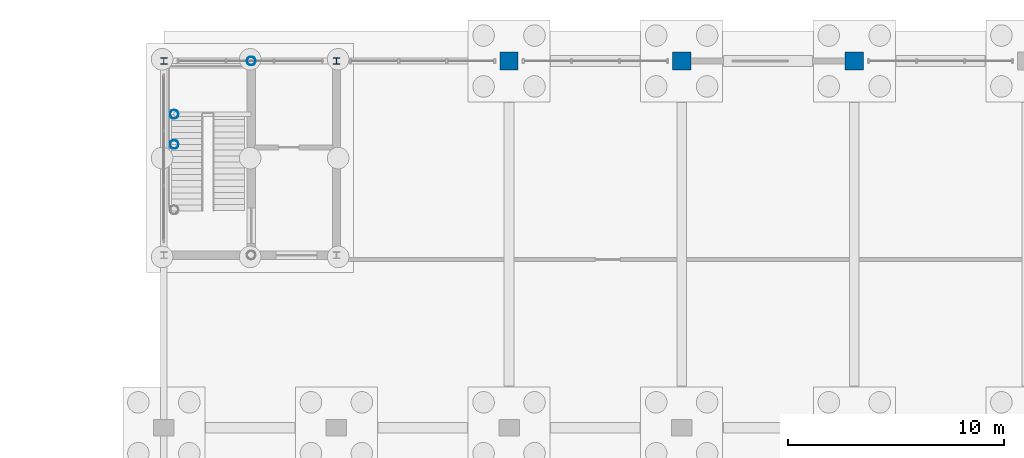
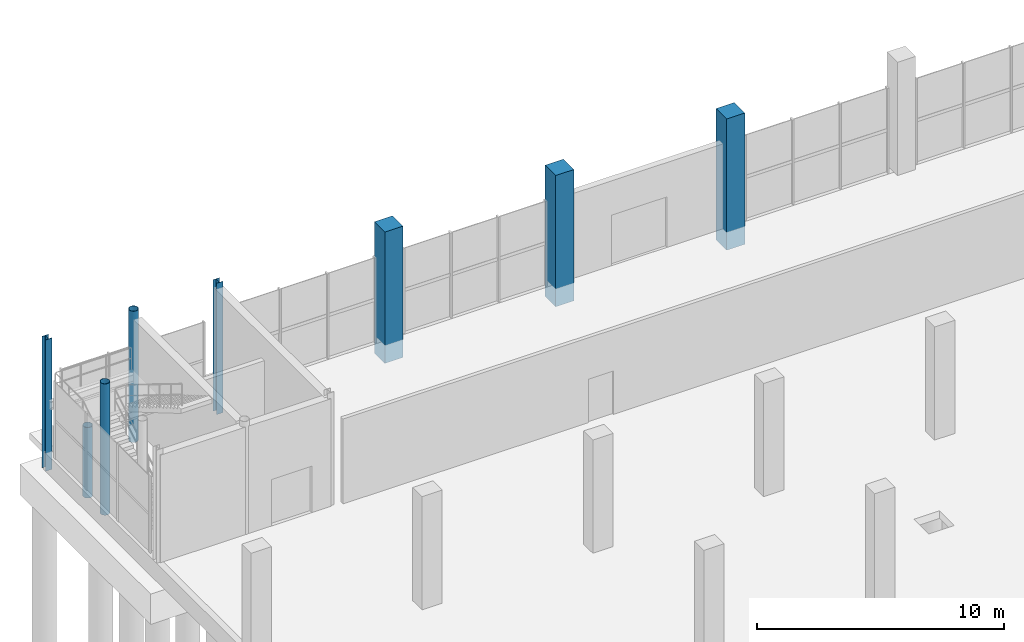
# One storey, part 31 of 98: 8 columns.
"""IFC4 building model written with IfcOpenShell, lengths in metres."""

from ifc_helpers import new_model, si_unit, derived_unit, direction, frame, origin, origin_2d, place, context, subcontext, project, spatial, rectangle, hollow_circle, i_section, extrude, material, material_profile, profile_set, type_object, element, save


model = new_model("IFC4")

# Units and contexts
model_context = context("Model", 3, precision=1e-05, world=origin(), true_north=direction((0.0, 1.0)))
body_context = subcontext(model_context, "Body", "Model", "MODEL_VIEW")
ifc_project = project(units=[si_unit("LENGTHUNIT", "METRE"), si_unit("AREAUNIT", "SQUARE_METRE"), si_unit("VOLUMEUNIT", "CUBIC_METRE"), si_unit("PLANEANGLEUNIT", "RADIAN"), si_unit("MASSUNIT", "GRAM", prefix="KILO"), si_unit("THERMODYNAMICTEMPERATUREUNIT", "KELVIN"), derived_unit("THERMALTRANSMITTANCEUNIT", [(si_unit("POWERUNIT", "WATT"), 1), (si_unit("AREAUNIT", "SQUARE_METRE"), -1), (si_unit("THERMODYNAMICTEMPERATUREUNIT", "KELVIN"), -1)])], contexts=[model_context])

# Site, building, storey
site_placement = place(None, origin())
site = spatial("IfcSite", under=ifc_project, at=site_placement, CompositionType="ELEMENT")
building_placement = place(site_placement, origin())
building = spatial("IfcBuilding", under=site, at=building_placement, Name="Haiyu Intermodal Mobility Hub", CompositionType="ELEMENT")
storey_placement = place(building_placement, origin())
storey = spatial("IfcBuildingStorey", under=building, at=storey_placement, Name="L00", CompositionType="ELEMENT", Elevation=0.0)

# Columns
ifc_material_1 = material(Name="Precast concrete C40", Category="concrete")
ifc_material_profile_1 = material_profile(ifc_material_1, rectangle(XDim=0.85009765625, YDim=0.85009765625, at=origin_2d()), Name="RC850x850")
ifc_profile_set_1 = profile_set([ifc_material_profile_1], Name="Precast concrete C40")
column_type_1 = type_object("IfcColumnType", Name="COL-CC01-EXT", PredefinedType="COLUMN", material=ifc_profile_set_1)
for number, where, z_axis, x_axis, name in (
    (1, (38.0, 148.0, -0.89990234375), (0.0, 0.0, 1.0), (1.0, 0.0, 0.0), "Column V4-4S L00"),
    (2, (46.0, 148.0, -0.89990234375), (0.0, 0.0, 1.0), (1.0, 0.0, 0.0), "Column V4-5S L00"),
    (3, (54.0, 148.0, -0.89990234375), (0.0, 0.0, 1.0), (1.0, 0.0, 0.0), "Column V4-6S L00"),
):
    element("IfcColumn", number, at=place(storey_placement, frame(where, z_axis=z_axis, x_axis=x_axis)), inside=storey, type_object=column_type_1, Name=name, PredefinedType="COLUMN", context=body_context, shape_type="SweptSolid", body=[
        extrude(rectangle(XDim=0.85009765625, YDim=0.85009765625, at=origin_2d()), origin(), (0.0, 0.0, 1.0), 6.5),
    ])
ifc_material_2 = material(Name="Steel Q355C", Category="steel")
ifc_material_profile_2 = material_profile(ifc_material_2, hollow_circle(Radius=0.202880859375, WallThickness=0.013916015625, at=origin_2d()), Name="CHS406x14")
ifc_profile_set_2 = profile_set([ifc_material_profile_2], Name="Steel Q355C")
column_type_2 = type_object("IfcColumnType", Name="COL-SC03", PredefinedType="COLUMN", material=ifc_profile_set_2)
column_1_placement = place(storey_placement, frame((22.47998046875, 144.1298828125, -0.89990234375), z_axis=(0.0, 0.0, 1.0), x_axis=(1.0, 0.0, 0.0)))
element("IfcColumn", 4, at=column_1_placement, inside=storey, type_object=column_type_2, Name="Column C3-WLP L00", PredefinedType="COLUMN", context=body_context, shape_type="SweptSolid", body=[
    extrude(hollow_circle(Radius=0.202880859375, WallThickness=0.013916015625, at=origin_2d()), origin(), (0.0, 0.0, 1.0), 6.5),
])
ifc_material_profile_3 = material_profile(ifc_material_2, hollow_circle(Radius=0.202880859375, WallThickness=0.013916015625, at=origin_2d()), Name="CHS406x14")
ifc_profile_set_3 = profile_set([ifc_material_profile_3], Name="Steel Q355C")
column_type_3 = type_object("IfcColumnType", Name="COL-SC03-EXT", PredefinedType="COLUMN", material=ifc_profile_set_3)
column_2_placement = place(storey_placement, frame((26.050048828125, 148.0, -0.89990234375), z_axis=(0.0, 0.0, 1.0), x_axis=(1.0, 0.0, 0.0)))
element("IfcColumn", 5, at=column_2_placement, inside=storey, type_object=column_type_3, Name="Column C3-MN L00", PredefinedType="COLUMN", context=body_context, shape_type="SweptSolid", body=[
    extrude(hollow_circle(Radius=0.202880859375, WallThickness=0.013916015625, at=origin_2d()), origin(), (0.0, 0.0, 1.0), 6.5),
])
column_3_placement = place(storey_placement, frame((22.47998046875, 145.530029296875, -0.89990234375), z_axis=(0.0, 0.0, 1.0), x_axis=(1.0, 0.0, 0.0)))
element("IfcColumn", 6, at=column_3_placement, inside=storey, type_object=column_type_3, Name="COL-C3-WLP0", PredefinedType="COLUMN", context=body_context, shape_type="SweptSolid", body=[
    extrude(hollow_circle(Radius=0.202880859375, WallThickness=0.013916015625, at=origin_2d()), origin(), (0.0, 0.0, 1.0), 3.489990234375),
])
ifc_material_profile_4 = material_profile(ifc_material_2, i_section(OverallWidth=0.300048828125, OverallDepth=0.300048828125, WebThickness=0.010009765625, FlangeThickness=0.014892578125, FilletRadius=0.01806640625, at=origin_2d()), Name="HW300x300x10x15")
ifc_profile_set_4 = profile_set([ifc_material_profile_4], Name="Steel Q355C")
column_type_4 = type_object("IfcColumnType", Name="COL-SC07-EXT", PredefinedType="COLUMN", material=ifc_profile_set_4)
for number, where, z_axis, x_axis, name in (
    (7, (22.0, 148.0, -0.89990234375), (0.0, 0.0, 1.0), (1.0, 0.0, 0.0), "Column C3-NW L00"),
    (8, (30.0, 148.0, -0.89990234375), (0.0, 0.0, 1.0), (1.0, 0.0, 0.0), "Column C3-NE L00"),
):
    element("IfcColumn", number, at=place(storey_placement, frame(where, z_axis=z_axis, x_axis=x_axis)), inside=storey, type_object=column_type_4, Name=name, PredefinedType="COLUMN", context=body_context, shape_type="SweptSolid", body=[
        extrude(i_section(OverallWidth=0.300048828125, OverallDepth=0.300048828125, WebThickness=0.010009765625, FlangeThickness=0.014892578125, FilletRadius=0.01806640625, at=origin_2d()), origin(), (0.0, 0.0, 1.0), 6.5),
    ])

save(model, "model.ifc")
